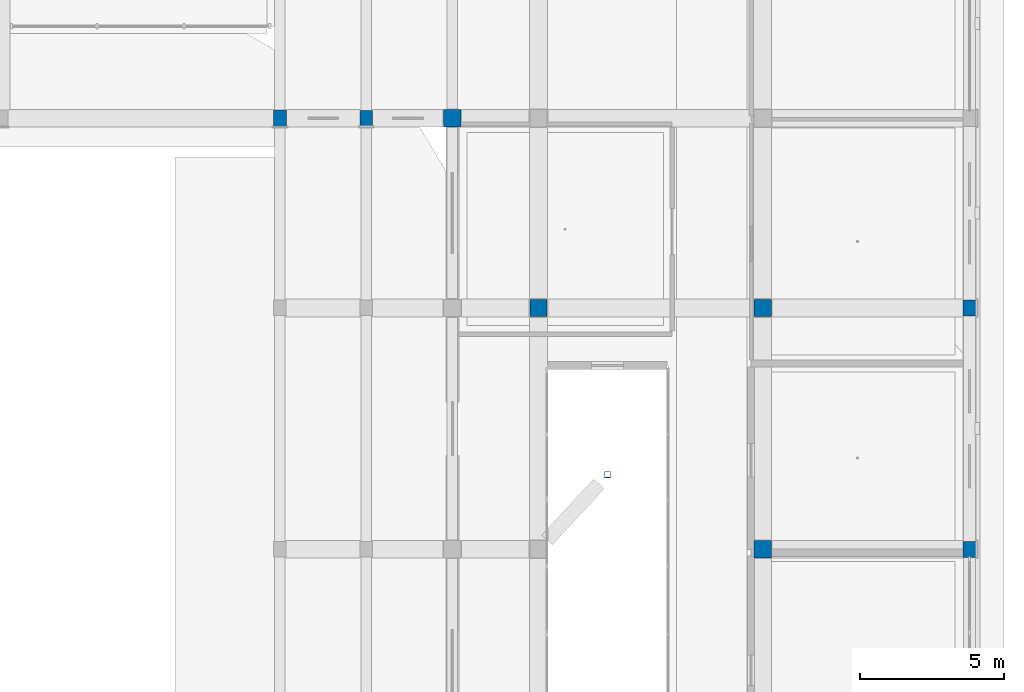
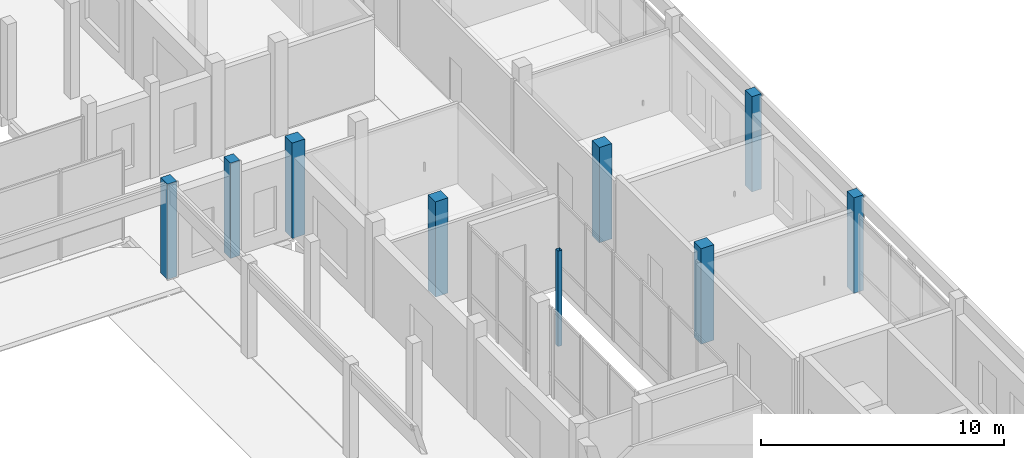
# One storey, part 16 of 88: 9 columns.
"""IFC4 building model written with IfcOpenShell, lengths in metres."""

from ifc_helpers import new_model, si_unit, derived_unit, direction, frame, origin, origin_2d, place, context, subcontext, project, spatial, rectangle, hollow_rectangle, extrude, material, material_profile, profile_set, type_object, element, save


model = new_model("IFC4")

# Units and contexts
model_context = context("Model", 3, precision=1e-05, world=origin(), true_north=direction((0.0, 1.0)))
body_context = subcontext(model_context, "Body", "Model", "MODEL_VIEW")
ifc_project = project(units=[si_unit("LENGTHUNIT", "METRE"), si_unit("AREAUNIT", "SQUARE_METRE"), si_unit("VOLUMEUNIT", "CUBIC_METRE"), si_unit("PLANEANGLEUNIT", "RADIAN"), si_unit("MASSUNIT", "GRAM", prefix="KILO"), derived_unit("THERMALTRANSMITTANCEUNIT", [(si_unit("POWERUNIT", "WATT"), 1), (si_unit("LENGTHUNIT", "METRE"), -2), (si_unit("THERMODYNAMICTEMPERATUREUNIT", "KELVIN"), -1)])], contexts=[model_context])

# Site, building, storey
site_placement = place(None, origin())
site = spatial("IfcSite", under=ifc_project, at=site_placement, CompositionType="ELEMENT")
building_placement = place(site_placement, origin())
building = spatial("IfcBuilding", under=site, at=building_placement, Name="Braskholm Square Health Centre", CompositionType="ELEMENT")
storey_placement = place(building_placement, origin())
storey = spatial("IfcBuildingStorey", under=building, at=storey_placement, Name="L01", CompositionType="ELEMENT", Elevation=0.0)

# Columns
ifc_material_1 = material(Name="Concrete C40/50 (f'c = 40 MPa)", Category="concrete")
ifc_material_profile_1 = material_profile(ifc_material_1, rectangle(XDim=0.60009765625, YDim=0.60009765625, at=origin_2d()), Name="RC-600X600")
ifc_profile_set_1 = profile_set([ifc_material_profile_1], Name="Concrete C40/50 (f'c = 40 MPa)")
column_type_1 = type_object("IfcColumnType", Name="ColInteriorLow600", PredefinedType="COLUMN", material=ifc_profile_set_1)
for number, where, z_axis, x_axis, name in (
    (1, (145.800048828125, 87.199951171875, 0.0), (0.0, 0.0, 1.0), (1.0, 0.0, 0.0), "Column 19/N L01"),
    (2, (148.800048828125, 80.60009765625, 0.0), (0.0, 0.0, 1.0), (1.0, 0.0, 0.0), "Column 20/M L01"),
    (3, (156.60009765625, 72.199951171875, 0.0), (0.0, 0.0, 1.0), (1.0, 0.0, 0.0), "Column 21/L L01"),
    (4, (156.60009765625, 80.60009765625, 0.0), (0.0, 0.0, 1.0), (1.0, 0.0, 0.0), "Column 21/M L01"),
):
    element("IfcColumn", number, at=place(storey_placement, frame(where, z_axis=z_axis, x_axis=x_axis)), inside=storey, type_object=column_type_1, Name=name, PredefinedType="COLUMN", context=body_context, shape_type="SweptSolid", body=[
        extrude(rectangle(XDim=0.60009765625, YDim=0.60009765625, at=origin_2d()), origin(), (0.0, 0.0, 1.0), 4.800048828125),
    ])
ifc_material_2 = material(Name="Precast concrete C40/50 architectural white", Category="concrete")
ifc_material_profile_2 = material_profile(ifc_material_2, rectangle(XDim=0.43994140625, YDim=0.5400390625, at=origin_2d()), Name="RC-440X540")
ifc_profile_set_2 = profile_set([ifc_material_profile_2], Name="Precast concrete C40/50 architectural white")
column_type_2 = type_object("IfcColumnType", Name="ColPilasterKasota440x540", PredefinedType="PILASTER", material=ifc_profile_set_2)
column_1_placement = place(storey_placement, frame((142.800048828125, 87.199951171875, 0.0), z_axis=(0.0, 0.0, 1.0), x_axis=(1.0, 0.0, 0.0)))
element("IfcColumn", 5, at=column_1_placement, inside=storey, type_object=column_type_2, Name="Column 18/N L01", PredefinedType="PILASTER", context=body_context, shape_type="SweptSolid", body=[
    extrude(rectangle(XDim=0.43994140625, YDim=0.5400390625, at=origin_2d()), origin(), (0.0, 0.0, 1.0), 4.800048828125),
])
ifc_material_profile_3 = material_profile(ifc_material_2, rectangle(XDim=0.4599609375, YDim=0.56005859375, at=origin_2d()), Name="RC-460X560")
ifc_profile_set_3 = profile_set([ifc_material_profile_3], Name="Precast concrete C40/50 architectural white")
column_type_3 = type_object("IfcColumnType", Name="ColPrecastFrame460x560", PredefinedType="COLUMN", material=ifc_profile_set_3)
for number, where, z_axis, x_axis, name in (
    (6, (139.800048828125, 87.199951171875, 0.0), (0.0, 0.0, 1.0), (1.0, 0.0, 0.0), "Column 17/N L01"),
    (7, (163.800048828125, 72.199951171875, 0.0), (0.0, 0.0, 1.0), (1.0, 0.0, 0.0), "Column 22/L L01"),
    (8, (163.800048828125, 80.60009765625, 0.0), (0.0, 0.0, 1.0), (1.0, 0.0, 0.0), "Column 22/M L01"),
):
    element("IfcColumn", number, at=place(storey_placement, frame(where, z_axis=z_axis, x_axis=x_axis)), inside=storey, type_object=column_type_3, Name=name, PredefinedType="COLUMN", context=body_context, shape_type="SweptSolid", body=[
        extrude(rectangle(XDim=0.4599609375, YDim=0.56005859375, at=origin_2d()), origin(), (0.0, 0.0, 1.0), 4.800048828125),
    ])
ifc_material_3 = material(Name="Steel ASTM A500 Grade C", Category="steel")
ifc_material_profile_4 = material_profile(ifc_material_3, hollow_rectangle(XDim=0.203125, YDim=0.203125, WallThickness=0.0087890625, at=origin_2d()), Name="HSS8X8X3/8")
ifc_profile_set_4 = profile_set([ifc_material_profile_4], Name="Steel ASTM A500 Grade C")
column_type_4 = type_object("IfcColumnType", Name="ColSteelPorchHSS8", PredefinedType="COLUMN", material=ifc_profile_set_4)
column_2_placement = place(storey_placement, frame((151.199951171875, 74.800048828125, 0.0), z_axis=(0.0, 0.0, 1.0), x_axis=(1.0, 0.0, 0.0)))
element("IfcColumn", 9, at=column_2_placement, inside=storey, type_object=column_type_4, Name="Column CS3F L01", PredefinedType="COLUMN", context=body_context, shape_type="SweptSolid", body=[
    extrude(hollow_rectangle(XDim=0.203125, YDim=0.203125, WallThickness=0.0087890625, at=origin_2d()), origin(), (0.0, 0.0, 1.0), 4.800048828125),
])

save(model, "model.ifc")
